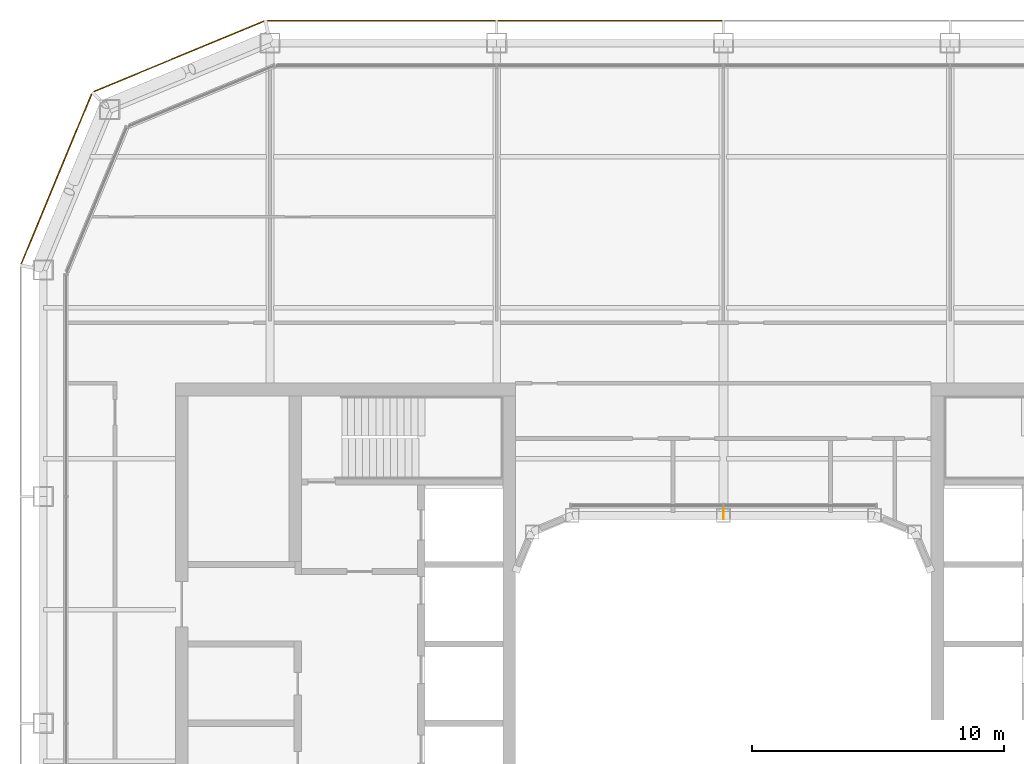
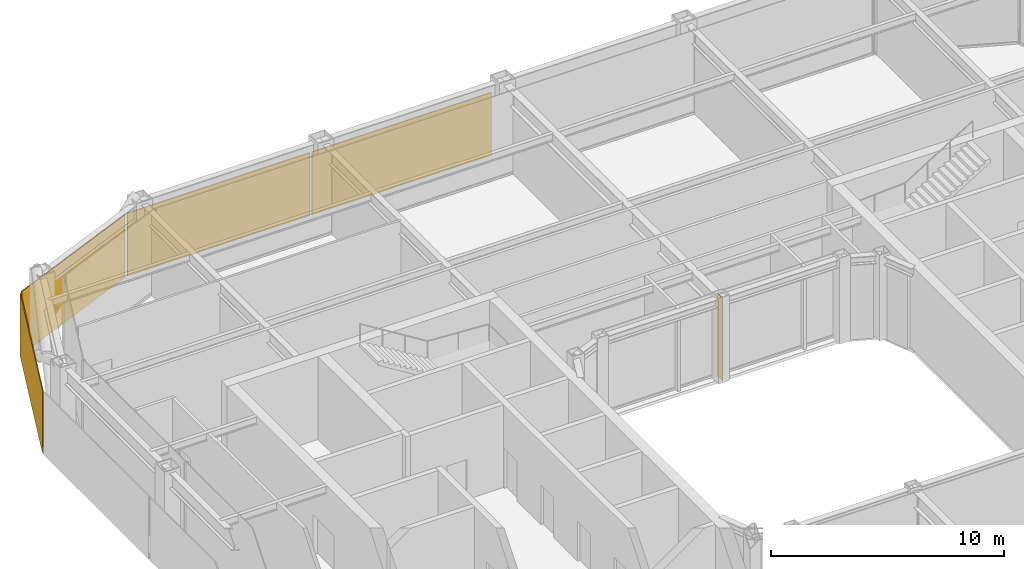
# One storey, part 18 of 19: 4 coverings, 1 shading device.
"""IFC4 building model written with IfcOpenShell, lengths in metres."""

import ifcopenshell
import ifcopenshell.guid

model = None  # the IFC model being written
_history = None  # IfcOwnerHistory: only IFC2X3 demands one
_inside = {}  # id of a spatial element -> (the spatial element, [elements in it])
_under = {}  # id of a project, library or spatial element -> (it, [spatial elements below it])
_declared = {}  # id of a project -> (the project, [libraries it declares])
_typed = {}  # id of a type object -> (the type object, [elements of that type])
_made_of = {}  # id of a material, layer set ... -> (it, [elements and type objects made of it])


def new_model(schema):
    """Start an empty IFC model of exactly this schema.

    Asked for "IFC4X3", IfcOpenShell would pick the latest addendum, in which some entities
    have other attributes; the version numbers below select the first issue.
    IFC2X3 requires an IfcOwnerHistory on every rooted entity: one is made here for all.
    """
    global model, _history
    if schema == "IFC4X3":
        model = ifcopenshell.file(schema_version=(4, 3, 0, 0))
    else:
        model = ifcopenshell.file(schema=schema)
    _inside.clear()
    _under.clear()
    _declared.clear()
    _typed.clear()
    _made_of.clear()
    _history = None
    if model.schema == "IFC2X3":
        org = make("IfcOrganization", Name="unknown")
        user = make(
            "IfcPersonAndOrganization",
            ThePerson=make("IfcPerson", FamilyName="unknown"),
            TheOrganization=org,
        )
        app = make(
            "IfcApplication",
            ApplicationDeveloper=org,
            Version="unknown",
            ApplicationFullName="unknown",
            ApplicationIdentifier="unknown",
        )
        _history = make(
            "IfcOwnerHistory",
            OwningUser=user,
            OwningApplication=app,
            ChangeAction="ADDED",
            CreationDate=0,
        )
    return model


def make(cls, **values):
    """One entity of the class cls with the attributes given. An attribute that is None is left unset."""
    return model.create_entity(
        cls, **{name: value for name, value in values.items() if value is not None}
    )


def rooted(cls, **values):
    """An entity with a GlobalId (a new one), such as an element, a storey or a relation."""
    return make(cls, GlobalId=ifcopenshell.guid.new(), OwnerHistory=_history, **values)


def si_unit(unit_type, name, prefix=None):
    """IfcSIUnit, for example si_unit("LENGTHUNIT", "METRE", prefix="MILLI")."""
    return make("IfcSIUnit", UnitType=unit_type, Prefix=prefix, Name=name)


def assignment(units):
    """IfcUnitAssignment: the units of a project."""
    return None if units is None else make("IfcUnitAssignment", Units=units)


def point(xyz):
    """IfcCartesianPoint."""
    return None if xyz is None else make("IfcCartesianPoint", Coordinates=xyz)


def direction(xyz):
    """IfcDirection."""
    return None if xyz is None else make("IfcDirection", DirectionRatios=xyz)


def frame(location, z_axis=None, x_axis=None):
    """IfcAxis2Placement3D, a coordinate frame: its origin and axes. An axis left out is left unset."""
    return make(
        "IfcAxis2Placement3D",
        Location=point(location),
        Axis=direction(z_axis),
        RefDirection=direction(x_axis),
    )


def frame_2d(location, x_axis=None):
    """IfcAxis2Placement2D, a coordinate frame in the plane: its origin and x axis."""
    return make(
        "IfcAxis2Placement2D", Location=point(location), RefDirection=direction(x_axis)
    )


def origin():
    """The frame at (0, 0, 0) with its axes left unset."""
    return frame((0.0, 0.0, 0.0))


def origin_2d():
    """The frame at (0, 0) in the plane with its x axis left unset."""
    return frame_2d((0.0, 0.0))


def place(relative_to, where):
    """IfcLocalPlacement: puts the frame where relative to a parent placement (None: the world)."""
    return make(
        "IfcLocalPlacement", PlacementRelTo=relative_to, RelativePlacement=where
    )


def context(
    kind, dimensions, precision=None, world=None, true_north=None, identifier=None
):
    """IfcGeometricRepresentationContext, for example the 3D "Model" context."""
    return make(
        "IfcGeometricRepresentationContext",
        ContextIdentifier=identifier,
        ContextType=kind,
        CoordinateSpaceDimension=dimensions,
        Precision=precision,
        WorldCoordinateSystem=world,
        TrueNorth=true_north,
    )


def subcontext(parent, identifier, kind, view, scale=None):
    """IfcGeometricRepresentationSubContext, for example "Body" below "Model"."""
    return make(
        "IfcGeometricRepresentationSubContext",
        ContextIdentifier=identifier,
        ContextType=kind,
        ParentContext=parent,
        TargetScale=scale,
        TargetView=view,
    )


def project(units=None, contexts=None):
    """IfcProject with its units and contexts."""
    return rooted(
        "IfcProject",
        Name="project",
        RepresentationContexts=contexts,
        UnitsInContext=assignment(units),
    )


def spatial(cls, under=None, at=None, **own):
    """A site, building, storey or space (cls), placed at a placement, below another one or the project."""
    s = rooted(cls, ObjectPlacement=at, **own)
    if under is not None:
        _under.setdefault(under.id(), (under, []))[1].append(s)
    return s


def profile(cls, at=None, kind="AREA", **sizes):
    """A parametric profile (cls). Its sizes go by their IFC names, for example OverallWidth=200.0."""
    return make(cls, ProfileType=kind, Position=at, **sizes)


def rectangle(**sizes):
    """IfcRectangleProfileDef."""
    return profile("IfcRectangleProfileDef", **sizes)


def extrude(swept, where, along, depth):
    """IfcExtrudedAreaSolid: the profile swept, set in the frame where, extruded along a direction by depth."""
    return make(
        "IfcExtrudedAreaSolid",
        SweptArea=swept,
        Position=where,
        ExtrudedDirection=direction(along),
        Depth=depth,
    )


def shape(context_of_items, identifier, shape_type, items):
    """IfcShapeRepresentation: the items that make up one representation, for example the "Body"."""
    return make(
        "IfcShapeRepresentation",
        ContextOfItems=context_of_items,
        RepresentationIdentifier=identifier,
        RepresentationType=shape_type,
        Items=items,
    )


def material(Name=None, Category=None):
    """IfcMaterial."""
    return make("IfcMaterial", Name=Name, Category=Category)


def layer(
    of_material, thickness, ventilated=None, Name=None, Category=None, Priority=None
):
    """IfcMaterialLayer: one layer of a wall or slab, of a material (None: an air gap)."""
    return make(
        "IfcMaterialLayer",
        Material=of_material,
        LayerThickness=thickness,
        IsVentilated=ventilated,
        Name=Name,
        Category=Category,
        Priority=Priority,
    )


def layer_set(layers, Name=None):
    """IfcMaterialLayerSet."""
    return make("IfcMaterialLayerSet", MaterialLayers=layers, LayerSetName=Name)


def made_of(thing, what):
    """Note that an element or type object is made of a material, layer set ...; save() writes the relation."""
    if what is not None:
        _made_of.setdefault(what.id(), (what, []))[1].append(thing)
    return thing


def type_object(cls, material=None, **own):
    """A type object (cls), such as IfcWallType, which elements share."""
    return made_of(rooted(cls, **own), material)


def element(
    cls,
    number,
    at=None,
    inside=None,
    cuts=None,
    type_object=None,
    material=None,
    context=None,
    identifier="Body",
    shape_type=None,
    held_by="IfcProductDefinitionShape",
    body=None,
    shapes=None,
    **own,
):
    """One element of the class cls, such as IfcWall. Its Tag is "e" and its number.

    at: its placement. inside: the storey or other place that contains it. cuts: it is an
    opening in that element (IfcRelVoidsElement). A single representation is given by context,
    identifier, shape_type and body (its items); several are given by shapes. held_by: the class
    of the entity that holds the representations. save() writes the other relations.
    """
    e = rooted(cls, Tag="e%d" % number, ObjectPlacement=at, **own)
    if body is not None:
        shapes = [shape(context, identifier, shape_type, body)]
    if shapes is not None:
        e.Representation = make(held_by, Representations=shapes)
    if inside is not None:
        _inside.setdefault(inside.id(), (inside, []))[1].append(e)
    if cuts is not None:
        rooted(
            "IfcRelVoidsElement", RelatingBuildingElement=cuts, RelatedOpeningElement=e
        )
    if type_object is not None:
        _typed.setdefault(type_object.id(), (type_object, []))[1].append(e)
    return made_of(e, material)


def aggregate(whole, parts):
    """IfcRelAggregates: a whole, such as a stair, and the parts it consists of."""
    return rooted("IfcRelAggregates", RelatingObject=whole, RelatedObjects=parts)


def save(model, path):
    """Write the relations noted so far, then the file.

    IfcRelAggregates (storeys below a building ...), IfcRelContainedInSpatialStructure (elements
    in a storey), IfcRelDefinesByType, IfcRelAssociatesMaterial and IfcRelDeclares: one each for
    every whole, place, type object, material and project.
    """
    for whole, parts in _under.values():
        aggregate(whole, parts)
    for where, things in _inside.values():
        rooted(
            "IfcRelContainedInSpatialStructure",
            RelatedElements=things,
            RelatingStructure=where,
        )
    for kind, things in _typed.values():
        rooted("IfcRelDefinesByType", RelatedObjects=things, RelatingType=kind)
    for what, things in _made_of.values():
        rooted("IfcRelAssociatesMaterial", RelatedObjects=things, RelatingMaterial=what)
    for by, libraries in _declared.values():
        rooted("IfcRelDeclares", RelatingContext=by, RelatedDefinitions=libraries)
    model.write(path)


model = new_model("IFC4")

# Units and contexts
model_context = context("Model", 3, precision=1e-05, world=origin(), true_north=direction((0.0, 1.0)))
body_context = subcontext(model_context, "Body", "Model", "MODEL_VIEW")
ifc_project = project(units=[si_unit("LENGTHUNIT", "METRE"), si_unit("AREAUNIT", "SQUARE_METRE"), si_unit("VOLUMEUNIT", "CUBIC_METRE"), si_unit("PLANEANGLEUNIT", "RADIAN"), si_unit("MASSUNIT", "GRAM", prefix="KILO")], contexts=[model_context])

# Site, building, storey
site_placement = place(None, origin())
site = spatial("IfcSite", under=ifc_project, at=site_placement, CompositionType="ELEMENT")
building_placement = place(site_placement, origin())
building = spatial("IfcBuilding", under=site, at=building_placement, Name="Siwar Civic Tower", CompositionType="ELEMENT")
storey_placement = place(building_placement, frame((0.0, 0.0, 246.699951171875)))
storey = spatial("IfcBuildingStorey", under=building, at=storey_placement, Name="L53", CompositionType="ELEMENT", Elevation=246.699951171875)

# Shading device
ifc_material_1 = material(Name="Aluminium 6063-T6", Category="aluminium")
ifc_layer_1 = layer(ifc_material_1, 0.02001953125)
ifc_layer_set_1 = layer_set([ifc_layer_1], Name="Aluminium 6063-T6")
shading_device_type = type_object("IfcShadingDeviceType", Name="ENV-FIN", PredefinedType="JALOUSIE", material=ifc_layer_set_1)
shading_device_placement = place(storey_placement, frame((0.0, 8.320068359375, 0.0), z_axis=(0.0, 0.0, 1.0), x_axis=(-1.0, 0.0, 0.0)))
element("IfcShadingDevice", 1, at=shading_device_placement, inside=storey, type_object=shading_device_type, Name="SUNSHADE fin WN 1", PredefinedType="JALOUSIE", context=body_context, shape_type="SweptSolid", body=[
    extrude(rectangle(XDim=0.02001953125, YDim=0.449951171875, at=origin_2d()), origin(), (0.0, 0.0, 1.0), 4.35009765625),
])

# Coverings
ifc_material_2 = material(Name="Perforated aluminium cassette, pale metal", Category="aluminium")
ifc_layer_2 = layer(ifc_material_2, 0.0400390625)
ifc_layer_set_2 = layer_set([ifc_layer_2], Name="Perforated aluminium cassette, pale metal")
covering_type_1 = type_object("IfcCoveringType", Name="ENV-OUTER SKIN OS-1", PredefinedType="CLADDING", material=ifc_layer_set_2)
covering_1_placement = place(storey_placement, frame((-4.5, 27.89990234375, -0.14990234375), z_axis=(0.0, 0.0, 1.0), x_axis=(-1.0, 0.0, 0.0)))
element("IfcCovering", 2, at=covering_1_placement, inside=storey, type_object=covering_type_1, Name="OUTER SKIN OS-1 N 3", PredefinedType="CLADDING", context=body_context, shape_type="SweptSolid", body=[
    extrude(rectangle(XDim=8.89990234375, YDim=0.0400390625, at=origin_2d()), origin(), (0.0, 0.0, 1.0), 3.300048828125),
])
covering_2_placement = place(storey_placement, frame((-13.57958984375, 27.89990234375, -0.14990234375), z_axis=(0.0, 0.0, 1.0), x_axis=(-1.0, 0.0, 0.0)))
element("IfcCovering", 3, at=covering_2_placement, inside=storey, type_object=covering_type_1, Name="OUTER SKIN OS-1 N 4", PredefinedType="CLADDING", context=body_context, shape_type="SweptSolid", body=[
    extrude(rectangle(XDim=9.05908203125, YDim=0.0400390625, at=origin_2d()), origin(), (0.0, 0.0, 1.0), 3.300048828125),
])
covering_3_placement = place(storey_placement, frame((-21.615966796875, 26.476318359375, -0.14990234375), z_axis=(0.0, 0.0, 1.0), x_axis=(-0.923879532511, -0.382683432365, 0.0)))
element("IfcCovering", 4, at=covering_3_placement, inside=storey, type_object=covering_type_1, Name="OUTER SKIN OS-1 NW1 1", PredefinedType="CLADDING", context=body_context, shape_type="SweptSolid", body=[
    extrude(rectangle(XDim=7.300048828125, YDim=0.0400390625, at=origin_2d()), origin(), (0.0, 0.0, 1.0), 3.300048828125),
])
ifc_material_3 = material(Name="Perforated aluminium cassette, pale metal", Category="aluminium")
ifc_layer_3 = layer(ifc_material_3, 0.044921875)
ifc_layer_set_3 = layer_set([ifc_layer_3], Name="Perforated aluminium cassette, pale metal")
covering_type_2 = type_object("IfcCoveringType", Name="ENV-OUTER SKIN OS-2", PredefinedType="CLADDING", material=ifc_layer_set_3)
covering_4_placement = place(storey_placement, frame((-26.476318359375, 21.615966796875, -0.14990234375), z_axis=(0.0, 0.0, 1.0), x_axis=(-0.382683432365, -0.923879532511, 0.0)))
element("IfcCovering", 5, at=covering_4_placement, inside=storey, type_object=covering_type_2, Name="OUTER SKIN OS-2 NW2 1", PredefinedType="CLADDING", context=body_context, shape_type="SweptSolid", body=[
    extrude(rectangle(XDim=7.300048828125, YDim=0.044921875, at=origin_2d()), origin(), (0.0, 0.0, 1.0), 3.300048828125),
])

save(model, "model.ifc")
